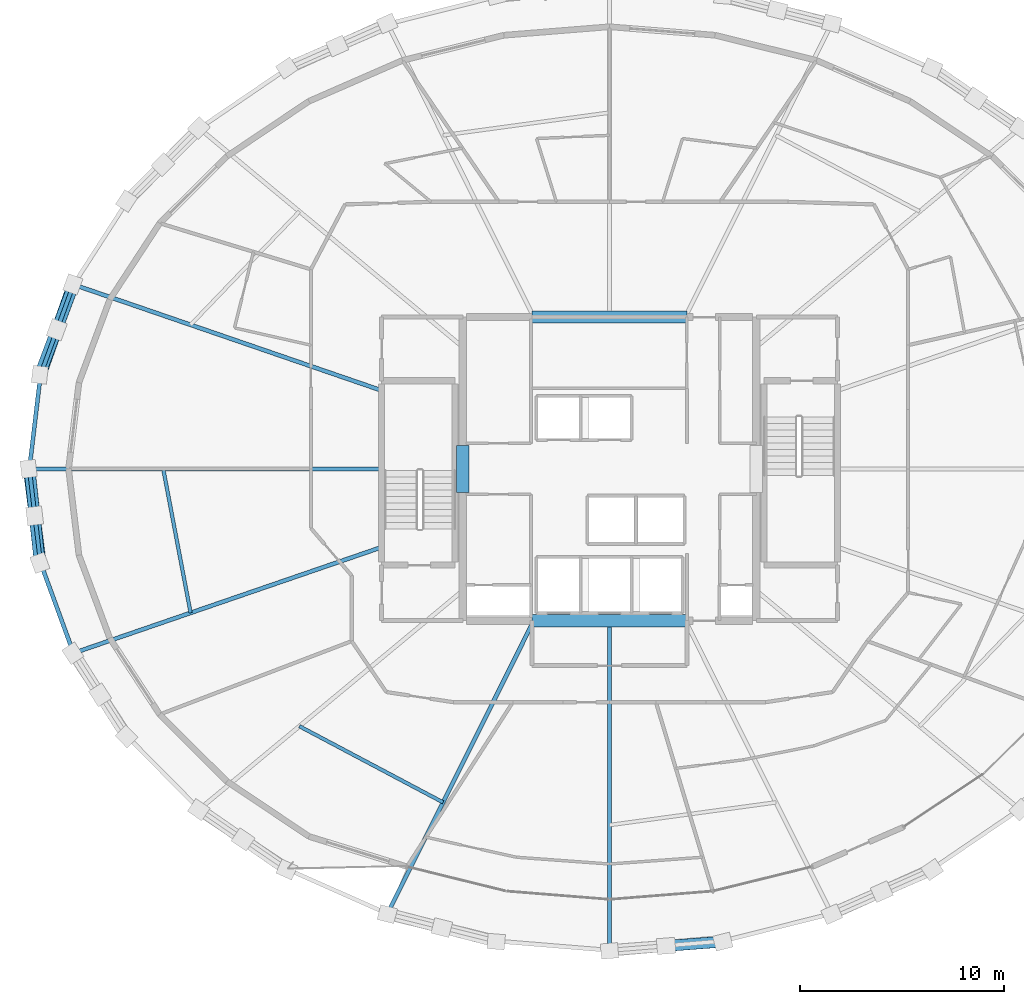
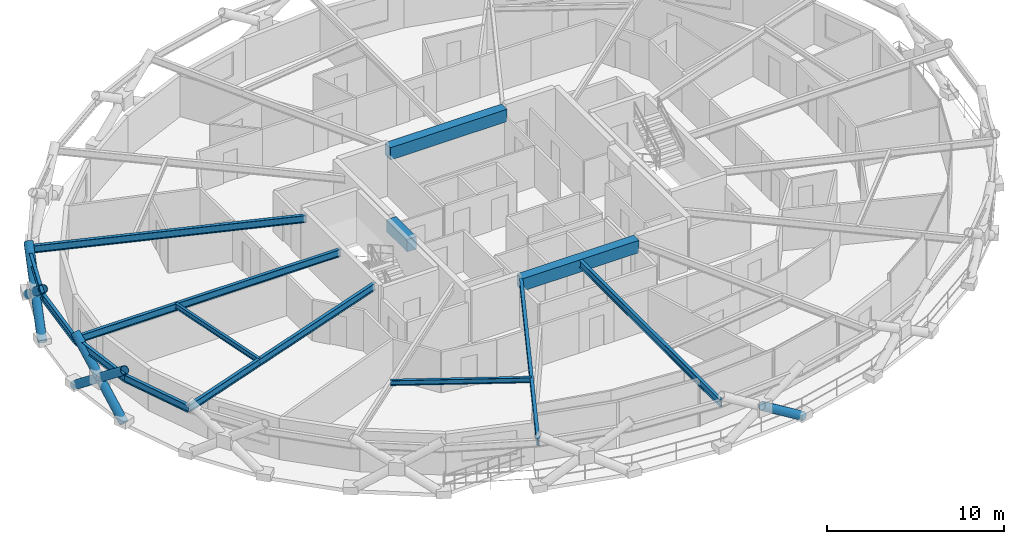
# One storey, part 3 of 21: 14 beams, 7 members.
"""IFC4 building model written with IfcOpenShell, lengths in metres."""

from ifc_helpers import new_model, si_unit, direction, frame, origin, origin_2d, place, context, subcontext, project, spatial, rectangle, hollow_circle, i_section, extrude, material, material_profile, profile_set, type_object, element, save


model = new_model("IFC4")

# Units and contexts
model_context = context("Model", 3, precision=1e-05, world=origin(), true_north=direction((0.0, 1.0)))
body_context = subcontext(model_context, "Body", "Model", "MODEL_VIEW")
ifc_project = project(units=[si_unit("LENGTHUNIT", "METRE"), si_unit("AREAUNIT", "SQUARE_METRE"), si_unit("VOLUMEUNIT", "CUBIC_METRE"), si_unit("PLANEANGLEUNIT", "RADIAN"), si_unit("MASSUNIT", "GRAM", prefix="KILO")], contexts=[model_context])

# Site, building, storey
site_placement = place(None, origin())
site = spatial("IfcSite", under=ifc_project, at=site_placement, CompositionType="ELEMENT")
building_placement = place(site_placement, origin())
building = spatial("IfcBuilding", under=site, at=building_placement, Name="Veldorina Hangang Commons", CompositionType="ELEMENT")
storey_placement = place(building_placement, frame((0.0, 0.0, 135.199951171875)))
storey = spatial("IfcBuildingStorey", under=building, at=storey_placement, Name="L34", CompositionType="ELEMENT", Elevation=135.199951171875)

# Beams
ifc_material_1 = material(Name="Concrete C60/75", Category="concrete")
ifc_material_profile_1 = material_profile(ifc_material_1, rectangle(XDim=0.60009765625, YDim=0.85009765625, at=origin_2d()), Name="RC-CB-600x850")
ifc_profile_set_1 = profile_set([ifc_material_profile_1], Name="Concrete C60/75")
beam_type_1 = type_object("IfcBeamType", Name="BM-CB850", PredefinedType="LINTEL", material=ifc_profile_set_1)
beam_1_placement = place(storey_placement, frame((24.800048828125, 22.85009765625, 2.925048828125), z_axis=(0.0, 1.0, 0.0), x_axis=(-1.0, 0.0, 0.0)))
element("IfcBeam", 1, at=beam_1_placement, inside=storey, type_object=beam_type_1, Name="L34 W core coupling lintel beam", PredefinedType="LINTEL", context=body_context, shape_type="SweptSolid", body=[
    extrude(rectangle(XDim=0.60009765625, YDim=0.85009765625, at=origin_2d()), origin(), (0.0, 0.0, 1.0), 2.2998046875),
])
for number, where, z_axis, x_axis, name in (
    (2, (28.199951171875, 16.550048828125, 2.925048828125), (1.0, 0.0, 0.0), (0.0, 1.0, 0.0), "L34 south core coupling beam"),
    (3, (28.199951171875, 31.449951171875, 2.925048828125), (1.0, 0.0, 0.0), (0.0, 1.0, 0.0), "L34 north core coupling beam"),
):
    element("IfcBeam", number, at=place(storey_placement, frame(where, z_axis=z_axis, x_axis=x_axis)), inside=storey, type_object=beam_type_1, Name=name, PredefinedType="LINTEL", context=body_context, shape_type="SweptSolid", body=[
        extrude(rectangle(XDim=0.60009765625, YDim=0.85009765625, at=origin_2d()), origin(), (0.0, 0.0, 1.0), 7.60009765625),
    ])
ifc_material_2 = material(Name="Steel SM420-TMC", Category="steel")
ifc_material_profile_2 = material_profile(ifc_material_2, i_section(OverallWidth=0.199951171875, OverallDepth=0.5, WebThickness=0.010009765625, FlangeThickness=0.01611328125, FilletRadius=0.01611328125, at=origin_2d()), Name="H-500x200x10x16")
ifc_profile_set_2 = profile_set([ifc_material_profile_2], Name="Steel SM420-TMC")
beam_type_2 = type_object("IfcBeamType", Name="BM-FG500", PredefinedType="BEAM", material=ifc_profile_set_2)
beam_2_placement = place(storey_placement, frame((20.820068359375, 27.843505859375, 3.10009765625), z_axis=(-0.945671046153, 0.325125010522, 0.0), x_axis=(-0.325125010522, -0.945671046153, 0.0)))
element("IfcBeam", 4, at=beam_2_placement, inside=storey, type_object=beam_type_2, Name="L34 radial floor girder 08", PredefinedType="BEAM", context=body_context, shape_type="SweptSolid", body=[
    extrude(i_section(OverallWidth=0.199951171875, OverallDepth=0.5, WebThickness=0.010009765625, FlangeThickness=0.01611328125, FilletRadius=0.01611328125, at=origin_2d()), origin(), (0.0, 0.0, 1.0), 15.986083984375),
])
beam_3_placement = place(storey_placement, frame((20.820068359375, 24.0, 3.10009765625), z_axis=(-1.0, 0.0, 0.0), x_axis=(0.0, -1.0, 0.0)))
element("IfcBeam", 5, at=beam_3_placement, inside=storey, type_object=beam_type_2, Name="L34 radial floor girder 09", PredefinedType="BEAM", context=body_context, shape_type="SweptSolid", body=[
    extrude(i_section(OverallWidth=0.199951171875, OverallDepth=0.5, WebThickness=0.010009765625, FlangeThickness=0.01611328125, FilletRadius=0.01611328125, at=origin_2d()), origin(), (0.0, 0.0, 1.0), 17.284423828125),
])
beam_4_placement = place(storey_placement, frame((20.820068359375, 20.156494140625, 3.10009765625), z_axis=(-0.945671046153, -0.325125010522, 0.0), x_axis=(0.325125010522, -0.945671046153, 0.0)))
element("IfcBeam", 6, at=beam_4_placement, inside=storey, type_object=beam_type_2, Name="L34 radial floor girder 10", PredefinedType="BEAM", context=body_context, shape_type="SweptSolid", body=[
    extrude(i_section(OverallWidth=0.199951171875, OverallDepth=0.5, WebThickness=0.010009765625, FlangeThickness=0.01611328125, FilletRadius=0.01611328125, at=origin_2d()), origin(), (0.0, 0.0, 1.0), 15.986083984375),
])
beam_5_placement = place(storey_placement, frame((28.281982421875, 16.550048828125, 3.10009765625), z_axis=(-0.44653882816, -0.894764256631, 0.0), x_axis=(0.894764256631, -0.44653882816, 0.0)))
element("IfcBeam", 7, at=beam_5_placement, inside=storey, type_object=beam_type_2, Name="L34 radial floor girder 12", PredefinedType="BEAM", context=body_context, shape_type="SweptSolid", body=[
    extrude(i_section(OverallWidth=0.199951171875, OverallDepth=0.5, WebThickness=0.010009765625, FlangeThickness=0.01611328125, FilletRadius=0.01611328125, at=origin_2d()), origin(), (0.0, 0.0, 1.0), 16.067626953125),
])
beam_6_placement = place(storey_placement, frame((32.0, 16.550048828125, 3.10009765625), z_axis=(0.0, -1.0, 0.0), x_axis=(1.0, 0.0, 0.0)))
element("IfcBeam", 8, at=beam_6_placement, inside=storey, type_object=beam_type_2, Name="L34 radial floor girder 13", PredefinedType="BEAM", context=body_context, shape_type="SweptSolid", body=[
    extrude(i_section(OverallWidth=0.199951171875, OverallDepth=0.5, WebThickness=0.010009765625, FlangeThickness=0.01611328125, FilletRadius=0.01611328125, at=origin_2d()), origin(), (0.0, 0.0, 1.0), 16.175048828125),
])
ifc_material_3 = material(Name="Steel SM355-TMC", Category="steel")
ifc_material_profile_3 = material_profile(ifc_material_3, i_section(OverallWidth=0.175048828125, OverallDepth=0.35009765625, WebThickness=0.007080078125, FlangeThickness=0.010986328125, FilletRadius=0.012939453125, at=origin_2d()), Name="H-350x175x7x11")
ifc_profile_set_3 = profile_set([ifc_material_profile_3], Name="Steel SM355-TMC")
beam_type_3 = type_object("IfcBeamType", Name="BM-JST350", PredefinedType="JOIST", material=ifc_profile_set_3)
beam_7_placement = place(storey_placement, frame((10.103759765625, 24.0, 3.175048828125), z_axis=(0.186792343589, -0.98239941998, 0.0), x_axis=(0.98239941998, 0.186792343589, 0.0)))
element("IfcBeam", 9, at=beam_7_placement, inside=storey, type_object=beam_type_3, Name="L34 secondary floor joist 09", PredefinedType="JOIST", context=body_context, shape_type="SweptSolid", body=[
    extrude(i_section(OverallWidth=0.175048828125, OverallDepth=0.35009765625, WebThickness=0.007080078125, FlangeThickness=0.010986328125, FilletRadius=0.012939453125, at=origin_2d()), origin(), (0.0, 0.0, 1.0), 7.192626953125),
])
beam_8_placement = place(storey_placement, frame((16.78515625, 11.371826171875, 3.175048828125), z_axis=(0.883586829728, -0.468267353476, 0.0), x_axis=(0.468267353476, 0.883586829728, 0.0)))
element("IfcBeam", 10, at=beam_8_placement, inside=storey, type_object=beam_type_3, Name="L34 secondary floor joist 11", PredefinedType="JOIST", context=body_context, shape_type="SweptSolid", body=[
    extrude(i_section(OverallWidth=0.175048828125, OverallDepth=0.35009765625, WebThickness=0.007080078125, FlangeThickness=0.010986328125, FilletRadius=0.012939453125, at=origin_2d()), origin(), (0.0, 0.0, 1.0), 7.97705078125),
])
ifc_material_profile_4 = material_profile(ifc_material_2, i_section(OverallWidth=0.199951171875, OverallDepth=0.5, WebThickness=0.010009765625, FlangeThickness=0.01611328125, FilletRadius=0.01611328125, at=origin_2d()), Name="H-500x200x10x16")
ifc_profile_set_4 = profile_set([ifc_material_profile_4], Name="Steel SM420-TMC")
beam_type_4 = type_object("IfcBeamType", Name="BM-RB500", PredefinedType="BEAM", material=ifc_profile_set_4)
beam_9_placement = place(storey_placement, frame((5.702392578125, 33.041015625, 3.10009765625), z_axis=(-0.343275460832, -0.939234772562, 0.0), x_axis=(0.939234772562, -0.343275460832, 0.0)))
element("IfcBeam", 11, at=beam_9_placement, inside=storey, type_object=beam_type_4, Name="L34 perimeter hoop ring beam 14", PredefinedType="BEAM", context=body_context, shape_type="SweptSolid", body=[
    extrude(i_section(OverallWidth=0.199951171875, OverallDepth=0.5, WebThickness=0.010009765625, FlangeThickness=0.01611328125, FilletRadius=0.01611328125, at=origin_2d()), origin(), (0.0, 0.0, 1.0), 4.718994140625),
])
for number, where, z_axis, x_axis, name in (
    (12, (4.08251953125, 28.60888671875, 3.10009765625), (-0.117830048603, -0.993033775682, 0.0), (0.993033775682, -0.117830048603, 0.0), "L34 perimeter hoop ring beam 15"),
    (13, (3.53564453125, 24.0, 3.10009765625), (0.117830048603, -0.993033775682, 0.0), (0.993033775682, 0.117830048603, 0.0), "L34 perimeter hoop ring beam 16"),
):
    element("IfcBeam", number, at=place(storey_placement, frame(where, z_axis=z_axis, x_axis=x_axis)), inside=storey, type_object=beam_type_4, Name=name, PredefinedType="BEAM", context=body_context, shape_type="SweptSolid", body=[
        extrude(i_section(OverallWidth=0.199951171875, OverallDepth=0.5, WebThickness=0.010009765625, FlangeThickness=0.01611328125, FilletRadius=0.01611328125, at=origin_2d()), origin(), (0.0, 0.0, 1.0), 4.64111328125),
    ])
beam_10_placement = place(storey_placement, frame((4.08251953125, 19.39111328125, 3.10009765625), z_axis=(0.343275460832, -0.939234772562, 0.0), x_axis=(0.939234772562, 0.343275460832, 0.0)))
element("IfcBeam", 14, at=beam_10_placement, inside=storey, type_object=beam_type_4, Name="L34 perimeter hoop ring beam 17", PredefinedType="BEAM", context=body_context, shape_type="SweptSolid", body=[
    extrude(i_section(OverallWidth=0.199951171875, OverallDepth=0.5, WebThickness=0.010009765625, FlangeThickness=0.01611328125, FilletRadius=0.01611328125, at=origin_2d()), origin(), (0.0, 0.0, 1.0), 4.718994140625),
])

# Members
ifc_material_profile_5 = material_profile(ifc_material_2, hollow_circle(Radius=0.27490234375, WallThickness=0.028076171875, at=origin_2d()), Name="CHS-550x28")
ifc_profile_set_5 = profile_set([ifc_material_profile_5], Name="Steel SM420-TMC")
member_type = type_object("IfcMemberType", Name="DG-CHS550", PredefinedType="BRACE", material=ifc_profile_set_5)
member_1_placement = place(storey_placement, frame((5.668212890625, 33.05078125, 0.0), z_axis=(-0.266305504333, -0.748873630404, 0.60685225883), x_axis=(0.942199071953, -0.335053590955, 0.0)))
element("IfcMember", 15, at=member_1_placement, inside=storey, type_object=member_type, Name="L34 continuous perimeter diagrid brace 14", PredefinedType="BRACE", context=body_context, shape_type="SweptSolid", body=[
    extrude(hollow_circle(Radius=0.27490234375, WallThickness=0.028076171875, at=origin_2d()), origin(), (0.0, 0.0, 1.0), 5.932373046875),
])
member_2_placement = place(storey_placement, frame((4.04638671875, 28.614013671875, 0.0), z_axis=(0.279628973667, 0.744773909601, 0.605903837803), x_axis=(-0.936189106859, 0.35149673711, 0.0)))
element("IfcMember", 16, at=member_2_placement, inside=storey, type_object=member_type, Name="L34 split perimeter diagrid lower brace 15", PredefinedType="BRACE", context=body_context, shape_type="SweptSolid", body=[
    extrude(hollow_circle(Radius=0.27490234375, WallThickness=0.028076171875, at=origin_2d()), origin(), (0.0, 0.0, 1.0), 2.972900390625),
])
member_3_placement = place(storey_placement, frame((4.877685546875, 30.828125, 1.80126953125), z_axis=(0.279670597214, 0.744774066147, 0.60588443407), x_axis=(-0.936171913148, 0.351542528057, 0.0)))
element("IfcMember", 17, at=member_3_placement, inside=storey, type_object=member_type, Name="L34 split perimeter diagrid upper brace 15", PredefinedType="BRACE", context=body_context, shape_type="SweptSolid", body=[
    extrude(hollow_circle(Radius=0.27490234375, WallThickness=0.028076171875, at=origin_2d()), origin(), (0.0, 0.0, 1.0), 2.968994140625),
])
member_4_placement = place(storey_placement, frame((3.498779296875, 24.0, 0.0), z_axis=(0.100317001001, -0.784051094778, 0.612536023502), x_axis=(0.991913925165, 0.12691243069, 0.0)))
element("IfcMember", 18, at=member_4_placement, inside=storey, type_object=member_type, Name="L34 continuous perimeter diagrid brace 16", PredefinedType="BRACE", context=body_context, shape_type="SweptSolid", body=[
    extrude(hollow_circle(Radius=0.27490234375, WallThickness=0.028076171875, at=origin_2d()), origin(), (0.0, 0.0, 1.0), 5.87744140625),
])
member_5_placement = place(storey_placement, frame((4.04638671875, 19.385986328125, 0.0), z_axis=(-0.085980795811, 0.785457414876, 0.612914310624), x_axis=(-0.994061922388, -0.108815874106, 0.0)))
element("IfcMember", 19, at=member_5_placement, inside=storey, type_object=member_type, Name="L34 split perimeter diagrid lower brace 17", PredefinedType="BRACE", context=body_context, shape_type="SweptSolid", body=[
    extrude(hollow_circle(Radius=0.27490234375, WallThickness=0.028076171875, at=origin_2d()), origin(), (0.0, 0.0, 1.0), 2.93896484375),
])
member_6_placement = place(storey_placement, frame((3.793701171875, 21.6943359375, 1.80126953125), z_axis=(-0.085838731755, 0.785524208038, 0.61284861974), x_axis=(-0.994082352715, -0.108629075392, 0.0)))
element("IfcMember", 20, at=member_6_placement, inside=storey, type_object=member_type, Name="L34 split perimeter diagrid upper brace 17", PredefinedType="BRACE", context=body_context, shape_type="SweptSolid", body=[
    extrude(hollow_circle(Radius=0.27490234375, WallThickness=0.028076171875, at=origin_2d()), origin(), (0.0, 0.0, 1.0), 2.935302734375),
])
member_7_placement = place(storey_placement, frame((37.560302734375, 0.803466796875, 0.0), z_axis=(-0.837683927982, -0.063877442385, 0.542406958984), x_axis=(0.076034085237, -0.997105219063, 0.0)))
element("IfcMember", 21, at=member_7_placement, inside=storey, type_object=member_type, Name="L34 split perimeter diagrid lower brace 25", PredefinedType="BRACE", context=body_context, shape_type="SweptSolid", body=[
    extrude(hollow_circle(Radius=0.27490234375, WallThickness=0.028076171875, at=origin_2d()), origin(), (0.0, 0.0, 1.0), 3.3212890625),
])

save(model, "model.ifc")
